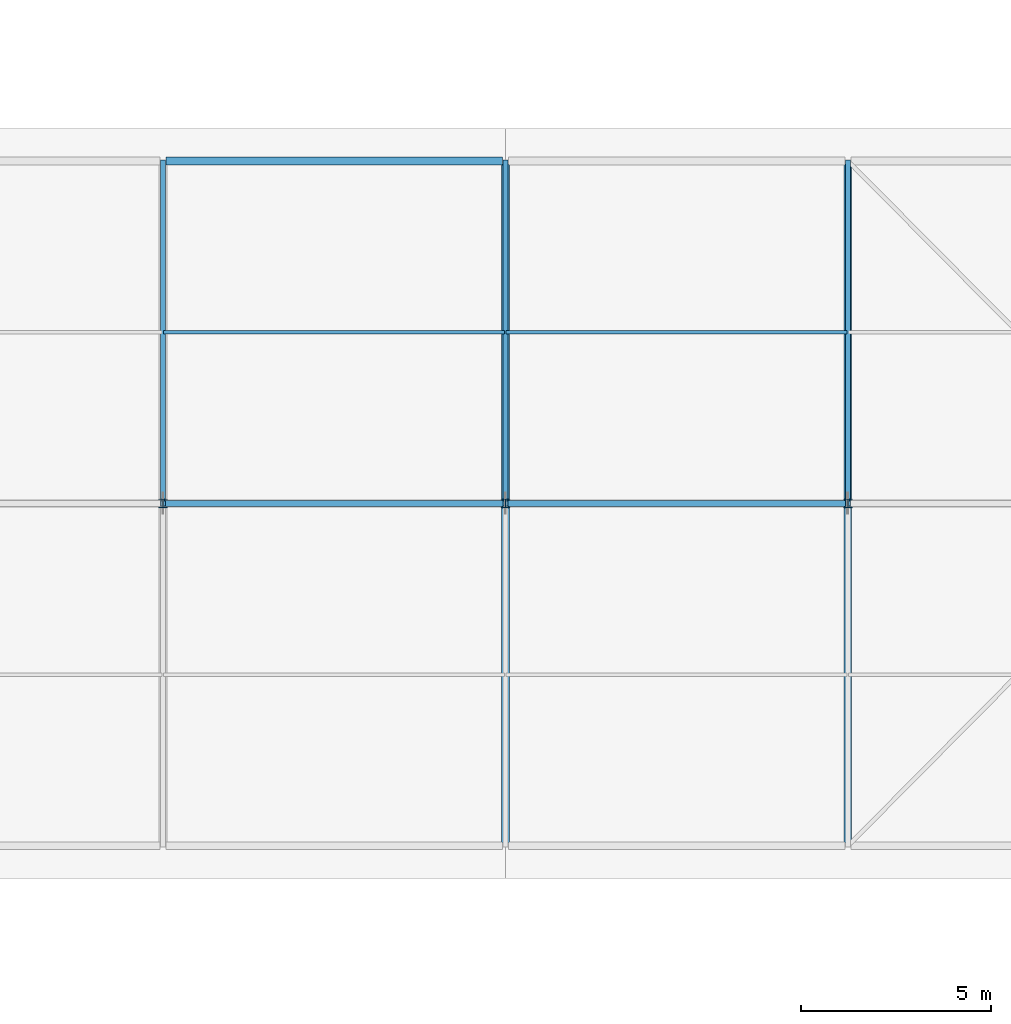
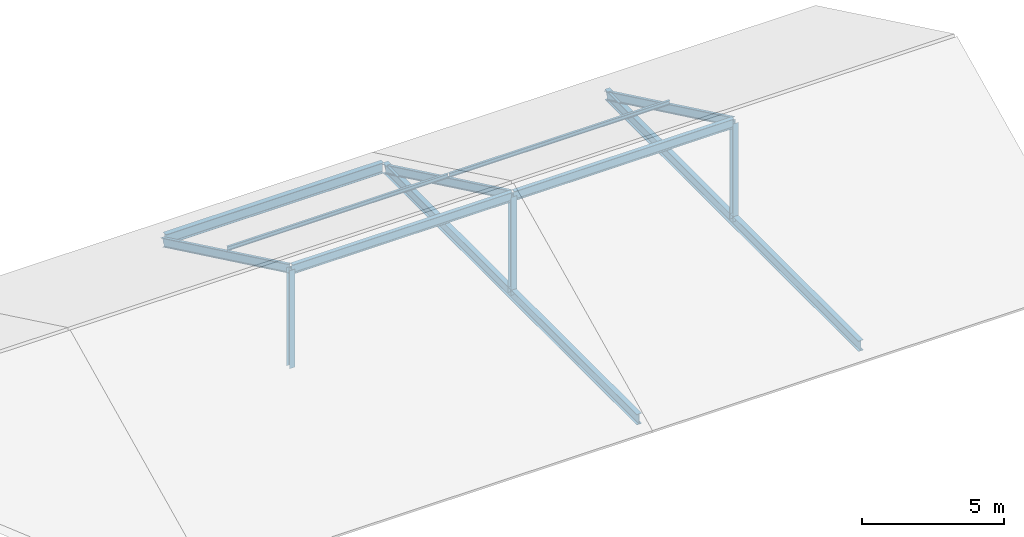
# One storey, part 13 of 25: 10 members, 3 beams.
"""IFC4 building model written with IfcOpenShell, lengths in metres."""

import ifcopenshell
import ifcopenshell.guid

model = None  # the IFC model being written
_history = None  # IfcOwnerHistory: only IFC2X3 demands one
_inside = {}  # id of a spatial element -> (the spatial element, [elements in it])
_under = {}  # id of a project, library or spatial element -> (it, [spatial elements below it])
_declared = {}  # id of a project -> (the project, [libraries it declares])
_typed = {}  # id of a type object -> (the type object, [elements of that type])
_made_of = {}  # id of a material, layer set ... -> (it, [elements and type objects made of it])


def new_model(schema):
    """Start an empty IFC model of exactly this schema.

    Asked for "IFC4X3", IfcOpenShell would pick the latest addendum, in which some entities
    have other attributes; the version numbers below select the first issue.
    IFC2X3 requires an IfcOwnerHistory on every rooted entity: one is made here for all.
    """
    global model, _history
    if schema == "IFC4X3":
        model = ifcopenshell.file(schema_version=(4, 3, 0, 0))
    else:
        model = ifcopenshell.file(schema=schema)
    _inside.clear()
    _under.clear()
    _declared.clear()
    _typed.clear()
    _made_of.clear()
    _history = None
    if model.schema == "IFC2X3":
        org = make("IfcOrganization", Name="unknown")
        user = make(
            "IfcPersonAndOrganization",
            ThePerson=make("IfcPerson", FamilyName="unknown"),
            TheOrganization=org,
        )
        app = make(
            "IfcApplication",
            ApplicationDeveloper=org,
            Version="unknown",
            ApplicationFullName="unknown",
            ApplicationIdentifier="unknown",
        )
        _history = make(
            "IfcOwnerHistory",
            OwningUser=user,
            OwningApplication=app,
            ChangeAction="ADDED",
            CreationDate=0,
        )
    return model


def make(cls, **values):
    """One entity of the class cls with the attributes given. An attribute that is None is left unset."""
    return model.create_entity(
        cls, **{name: value for name, value in values.items() if value is not None}
    )


def rooted(cls, **values):
    """An entity with a GlobalId (a new one), such as an element, a storey or a relation."""
    return make(cls, GlobalId=ifcopenshell.guid.new(), OwnerHistory=_history, **values)


def si_unit(unit_type, name, prefix=None):
    """IfcSIUnit, for example si_unit("LENGTHUNIT", "METRE", prefix="MILLI")."""
    return make("IfcSIUnit", UnitType=unit_type, Prefix=prefix, Name=name)


def assignment(units):
    """IfcUnitAssignment: the units of a project."""
    return None if units is None else make("IfcUnitAssignment", Units=units)


def point(xyz):
    """IfcCartesianPoint."""
    return None if xyz is None else make("IfcCartesianPoint", Coordinates=xyz)


def direction(xyz):
    """IfcDirection."""
    return None if xyz is None else make("IfcDirection", DirectionRatios=xyz)


def frame(location, z_axis=None, x_axis=None):
    """IfcAxis2Placement3D, a coordinate frame: its origin and axes. An axis left out is left unset."""
    return make(
        "IfcAxis2Placement3D",
        Location=point(location),
        Axis=direction(z_axis),
        RefDirection=direction(x_axis),
    )


def frame_2d(location, x_axis=None):
    """IfcAxis2Placement2D, a coordinate frame in the plane: its origin and x axis."""
    return make(
        "IfcAxis2Placement2D", Location=point(location), RefDirection=direction(x_axis)
    )


def origin():
    """The frame at (0, 0, 0) with its axes left unset."""
    return frame((0.0, 0.0, 0.0))


def origin_2d():
    """The frame at (0, 0) in the plane with its x axis left unset."""
    return frame_2d((0.0, 0.0))


def place(relative_to, where):
    """IfcLocalPlacement: puts the frame where relative to a parent placement (None: the world)."""
    return make(
        "IfcLocalPlacement", PlacementRelTo=relative_to, RelativePlacement=where
    )


def context(
    kind, dimensions, precision=None, world=None, true_north=None, identifier=None
):
    """IfcGeometricRepresentationContext, for example the 3D "Model" context."""
    return make(
        "IfcGeometricRepresentationContext",
        ContextIdentifier=identifier,
        ContextType=kind,
        CoordinateSpaceDimension=dimensions,
        Precision=precision,
        WorldCoordinateSystem=world,
        TrueNorth=true_north,
    )


def subcontext(parent, identifier, kind, view, scale=None):
    """IfcGeometricRepresentationSubContext, for example "Body" below "Model"."""
    return make(
        "IfcGeometricRepresentationSubContext",
        ContextIdentifier=identifier,
        ContextType=kind,
        ParentContext=parent,
        TargetScale=scale,
        TargetView=view,
    )


def project(units=None, contexts=None):
    """IfcProject with its units and contexts."""
    return rooted(
        "IfcProject",
        Name="project",
        RepresentationContexts=contexts,
        UnitsInContext=assignment(units),
    )


def spatial(cls, under=None, at=None, **own):
    """A site, building, storey or space (cls), placed at a placement, below another one or the project."""
    s = rooted(cls, ObjectPlacement=at, **own)
    if under is not None:
        _under.setdefault(under.id(), (under, []))[1].append(s)
    return s


def profile(cls, at=None, kind="AREA", **sizes):
    """A parametric profile (cls). Its sizes go by their IFC names, for example OverallWidth=200.0."""
    return make(cls, ProfileType=kind, Position=at, **sizes)


def i_section(**sizes):
    """IfcIShapeProfileDef."""
    return profile("IfcIShapeProfileDef", **sizes)


def extrude(swept, where, along, depth):
    """IfcExtrudedAreaSolid: the profile swept, set in the frame where, extruded along a direction by depth."""
    return make(
        "IfcExtrudedAreaSolid",
        SweptArea=swept,
        Position=where,
        ExtrudedDirection=direction(along),
        Depth=depth,
    )


def shape(context_of_items, identifier, shape_type, items):
    """IfcShapeRepresentation: the items that make up one representation, for example the "Body"."""
    return make(
        "IfcShapeRepresentation",
        ContextOfItems=context_of_items,
        RepresentationIdentifier=identifier,
        RepresentationType=shape_type,
        Items=items,
    )


def material(Name=None, Category=None):
    """IfcMaterial."""
    return make("IfcMaterial", Name=Name, Category=Category)


def material_profile(
    of_material, cross_section, Name=None, Category=None, Priority=None
):
    """IfcMaterialProfile: a cross section and its material."""
    return make(
        "IfcMaterialProfile",
        Name=Name,
        Material=of_material,
        Profile=cross_section,
        Priority=Priority,
        Category=Category,
    )


def profile_set(profiles, Name=None, composite=None):
    """IfcMaterialProfileSet."""
    return make(
        "IfcMaterialProfileSet",
        Name=Name,
        MaterialProfiles=profiles,
        CompositeProfile=composite,
    )


def made_of(thing, what):
    """Note that an element or type object is made of a material, layer set ...; save() writes the relation."""
    if what is not None:
        _made_of.setdefault(what.id(), (what, []))[1].append(thing)
    return thing


def type_object(cls, material=None, **own):
    """A type object (cls), such as IfcWallType, which elements share."""
    return made_of(rooted(cls, **own), material)


def element(
    cls,
    number,
    at=None,
    inside=None,
    cuts=None,
    type_object=None,
    material=None,
    context=None,
    identifier="Body",
    shape_type=None,
    held_by="IfcProductDefinitionShape",
    body=None,
    shapes=None,
    **own,
):
    """One element of the class cls, such as IfcWall. Its Tag is "e" and its number.

    at: its placement. inside: the storey or other place that contains it. cuts: it is an
    opening in that element (IfcRelVoidsElement). A single representation is given by context,
    identifier, shape_type and body (its items); several are given by shapes. held_by: the class
    of the entity that holds the representations. save() writes the other relations.
    """
    e = rooted(cls, Tag="e%d" % number, ObjectPlacement=at, **own)
    if body is not None:
        shapes = [shape(context, identifier, shape_type, body)]
    if shapes is not None:
        e.Representation = make(held_by, Representations=shapes)
    if inside is not None:
        _inside.setdefault(inside.id(), (inside, []))[1].append(e)
    if cuts is not None:
        rooted(
            "IfcRelVoidsElement", RelatingBuildingElement=cuts, RelatedOpeningElement=e
        )
    if type_object is not None:
        _typed.setdefault(type_object.id(), (type_object, []))[1].append(e)
    return made_of(e, material)


def aggregate(whole, parts):
    """IfcRelAggregates: a whole, such as a stair, and the parts it consists of."""
    return rooted("IfcRelAggregates", RelatingObject=whole, RelatedObjects=parts)


def save(model, path):
    """Write the relations noted so far, then the file.

    IfcRelAggregates (storeys below a building ...), IfcRelContainedInSpatialStructure (elements
    in a storey), IfcRelDefinesByType, IfcRelAssociatesMaterial and IfcRelDeclares: one each for
    every whole, place, type object, material and project.
    """
    for whole, parts in _under.values():
        aggregate(whole, parts)
    for where, things in _inside.values():
        rooted(
            "IfcRelContainedInSpatialStructure",
            RelatedElements=things,
            RelatingStructure=where,
        )
    for kind, things in _typed.values():
        rooted("IfcRelDefinesByType", RelatedObjects=things, RelatingType=kind)
    for what, things in _made_of.values():
        rooted("IfcRelAssociatesMaterial", RelatedObjects=things, RelatingMaterial=what)
    for by, libraries in _declared.values():
        rooted("IfcRelDeclares", RelatingContext=by, RelatedDefinitions=libraries)
    model.write(path)


model = new_model("IFC4")

# Units and contexts
model_context = context("Model", 3, precision=1e-05, world=origin(), true_north=direction((0.0, 1.0)))
body_context = subcontext(model_context, "Body", "Model", "MODEL_VIEW")
ifc_project = project(units=[si_unit("LENGTHUNIT", "METRE"), si_unit("AREAUNIT", "SQUARE_METRE"), si_unit("VOLUMEUNIT", "CUBIC_METRE"), si_unit("PLANEANGLEUNIT", "RADIAN"), si_unit("MASSUNIT", "GRAM", prefix="KILO")], contexts=[model_context])

# Site, building, storey
site_placement = place(None, origin())
site = spatial("IfcSite", under=ifc_project, at=site_placement, CompositionType="ELEMENT")
building_placement = place(site_placement, origin())
building = spatial("IfcBuilding", under=site, at=building_placement, Name="Tharagai Park Tramway Depot", CompositionType="ELEMENT")
storey_placement = place(building_placement, frame((0.0, 0.0, 12.0)))
storey = spatial("IfcBuildingStorey", under=building, at=storey_placement, Name="L03", CompositionType="ELEMENT", Elevation=12.0)

# Beams
ifc_material_1 = material(Name="Steel E350", Category="steel")
ifc_material_profile_1 = material_profile(ifc_material_1, i_section(OverallWidth=0.199951171875, OverallDepth=0.449951171875, WebThickness=0.00927734375, FlangeThickness=0.015380859375, FilletRadius=0.014892578125, at=origin_2d()), Name="ISWB 450")
ifc_profile_set_1 = profile_set([ifc_material_profile_1], Name="Steel E350")
beam_type = type_object("IfcBeamType", Name="BM-17", PredefinedType="BEAM", material=ifc_profile_set_1)
beam_placement = place(storey_placement, frame((162.080078125, 27.0, -0.47509765625), z_axis=(1.0, 0.0, 0.0), x_axis=(0.0, 1.0, 0.0)))
element("IfcBeam", 1, at=beam_placement, inside=storey, type_object=beam_type, Name="V5 Roof Eave Girder BM-17", PredefinedType="BEAM", context=body_context, shape_type="SweptSolid", body=[
    extrude(i_section(OverallWidth=0.199951171875, OverallDepth=0.449951171875, WebThickness=0.00927734375, FlangeThickness=0.015380859375, FilletRadius=0.014892578125, at=origin_2d()), origin(), (0.0, 0.0, 1.0), 8.83984375),
])
for number, where, z_axis, x_axis, name in (
    (2, (171.0, 9.080078125, -0.47509765625), (0.0, 1.0, 0.0), (-1.0, 0.0, 0.0), "V5 Gable Tie Girder BM-17"),
    (3, (180.0, 9.080078125, -0.47509765625), (0.0, 1.0, 0.0), (-1.0, 0.0, 0.0), "V5 Gable Tie Girder BM-17"),
):
    element("IfcBeam", number, at=place(storey_placement, frame(where, z_axis=z_axis, x_axis=x_axis)), inside=storey, type_object=beam_type, Name=name, PredefinedType="BEAM", context=body_context, shape_type="SweptSolid", body=[
        extrude(i_section(OverallWidth=0.199951171875, OverallDepth=0.449951171875, WebThickness=0.00927734375, FlangeThickness=0.015380859375, FilletRadius=0.014892578125, at=origin_2d()), origin(), (0.0, 0.0, 1.0), 17.83984375),
    ])

# Members
ifc_material_profile_2 = material_profile(ifc_material_1, i_section(OverallWidth=0.22509765625, OverallDepth=0.22509765625, WebThickness=0.008544921875, FlangeThickness=0.009033203125, FilletRadius=0.010009765625, at=origin_2d()), Name="ISHB 225")
ifc_profile_set_2 = profile_set([ifc_material_profile_2], Name="Steel E350")
member_type_1 = type_object("IfcMemberType", Name="BR-02", PredefinedType="BRACE", material=ifc_profile_set_2)
for number, where, z_axis, x_axis, name in (
    (4, (162.0, 18.0, -0.47509765625), (0.0, 0.0, 1.0), (1.0, 0.0, 0.0), "V5 Gable King Strut BR-02"),
    (5, (171.0, 18.0, -0.47509765625), (0.0, 0.0, 1.0), (1.0, 0.0, 0.0), "V5 Gable King Strut BR-02"),
    (6, (180.0, 18.0, -0.47509765625), (0.0, 0.0, 1.0), (1.0, 0.0, 0.0), "V5 Gable King Strut BR-02"),
):
    element("IfcMember", number, at=place(storey_placement, frame(where, z_axis=z_axis, x_axis=x_axis)), inside=storey, type_object=member_type_1, Name=name, PredefinedType="BRACE", context=body_context, shape_type="SweptSolid", body=[
        extrude(i_section(OverallWidth=0.22509765625, OverallDepth=0.22509765625, WebThickness=0.008544921875, FlangeThickness=0.009033203125, FilletRadius=0.010009765625, at=origin_2d()), origin(), (0.0, 0.0, 1.0), 4.20947265625),
    ])
ifc_material_2 = material(Name="Steel E250", Category="steel")
ifc_material_profile_3 = material_profile(ifc_material_2, i_section(OverallWidth=0.090087890625, OverallDepth=0.175048828125, WebThickness=0.005615234375, FlangeThickness=0.009033203125, FilletRadius=0.010009765625, at=origin_2d()), Name="ISMB 175")
ifc_profile_set_3 = profile_set([ifc_material_profile_3], Name="Steel E250")
member_type_2 = type_object("IfcMemberType", Name="PR-01", PredefinedType="PURLIN", material=ifc_profile_set_3)
for number, where, z_axis, x_axis, name in (
    (7, (162.02001953125, 22.5, 1.85546875), (1.0, 0.0, 0.0), (0.0, 1.0, 0.0), "V5 Roof Purlin PR-01"),
    (8, (171.02001953125, 22.5, 1.85546875), (1.0, 0.0, 0.0), (0.0, 1.0, 0.0), "V5 Roof Purlin PR-01"),
):
    element("IfcMember", number, at=place(storey_placement, frame(where, z_axis=z_axis, x_axis=x_axis)), inside=storey, type_object=member_type_2, Name=name, PredefinedType="PURLIN", context=body_context, shape_type="SweptSolid", body=[
        extrude(i_section(OverallWidth=0.090087890625, OverallDepth=0.175048828125, WebThickness=0.005615234375, FlangeThickness=0.009033203125, FilletRadius=0.010009765625, at=origin_2d()), origin(), (0.0, 0.0, 1.0), 8.9599609375),
    ])
ifc_material_profile_4 = material_profile(ifc_material_1, i_section(OverallWidth=0.139892578125, OverallDepth=0.35009765625, WebThickness=0.008056640625, FlangeThickness=0.01416015625, FilletRadius=0.013916015625, at=origin_2d()), Name="ISMB 350")
ifc_profile_set_4 = profile_set([ifc_material_profile_4], Name="Steel E350")
member_type_3 = type_object("IfcMemberType", Name="RF-01", PredefinedType="RAFTER", material=ifc_profile_set_4)
for number, where, z_axis, x_axis, name in (
    (9, (162.0, 18.0, 3.734375), (0.0, 0.901650825815, -0.432464782736), (-1.0, 0.0, 0.0), "V5 Pitched Rafter RF-01 North"),
    (10, (171.0, 18.0, 3.734375), (0.0, 0.901650825815, -0.432464782736), (-1.0, 0.0, 0.0), "V5 Pitched Rafter RF-01 North"),
    (11, (180.0, 18.0, 3.734375), (0.0, 0.901650825815, -0.432464782736), (-1.0, 0.0, 0.0), "V5 Pitched Rafter RF-01 North"),
):
    element("IfcMember", number, at=place(storey_placement, frame(where, z_axis=z_axis, x_axis=x_axis)), inside=storey, type_object=member_type_3, Name=name, PredefinedType="RAFTER", context=body_context, shape_type="SweptSolid", body=[
        extrude(i_section(OverallWidth=0.139892578125, OverallDepth=0.35009765625, WebThickness=0.008056640625, FlangeThickness=0.01416015625, FilletRadius=0.013916015625, at=origin_2d()), origin(), (0.0, 0.0, 1.0), 9.92626953125),
    ])
ifc_material_profile_5 = material_profile(ifc_material_1, i_section(OverallWidth=0.1650390625, OverallDepth=0.39990234375, WebThickness=0.008056640625, FlangeThickness=0.012451171875, FilletRadius=0.013916015625, at=origin_2d()), Name="ISLB 400")
ifc_profile_set_5 = profile_set([ifc_material_profile_5], Name="Steel E350")
member_type_4 = type_object("IfcMemberType", Name="TC-04", PredefinedType="CHORD", material=ifc_profile_set_5)
for number, where, z_axis, x_axis, name in (
    (12, (162.0400390625, 18.0, 3.70947265625), (1.0, 0.0, 0.0), (0.0, 1.0, 0.0), "V5 Roof Ridge Chord TC-04"),
    (13, (171.0400390625, 18.0, 3.70947265625), (1.0, 0.0, 0.0), (0.0, 1.0, 0.0), "V5 Roof Ridge Chord TC-04"),
):
    element("IfcMember", number, at=place(storey_placement, frame(where, z_axis=z_axis, x_axis=x_axis)), inside=storey, type_object=member_type_4, Name=name, PredefinedType="CHORD", context=body_context, shape_type="SweptSolid", body=[
        extrude(i_section(OverallWidth=0.1650390625, OverallDepth=0.39990234375, WebThickness=0.008056640625, FlangeThickness=0.012451171875, FilletRadius=0.013916015625, at=origin_2d()), origin(), (0.0, 0.0, 1.0), 8.919921875),
    ])

save(model, "model.ifc")
